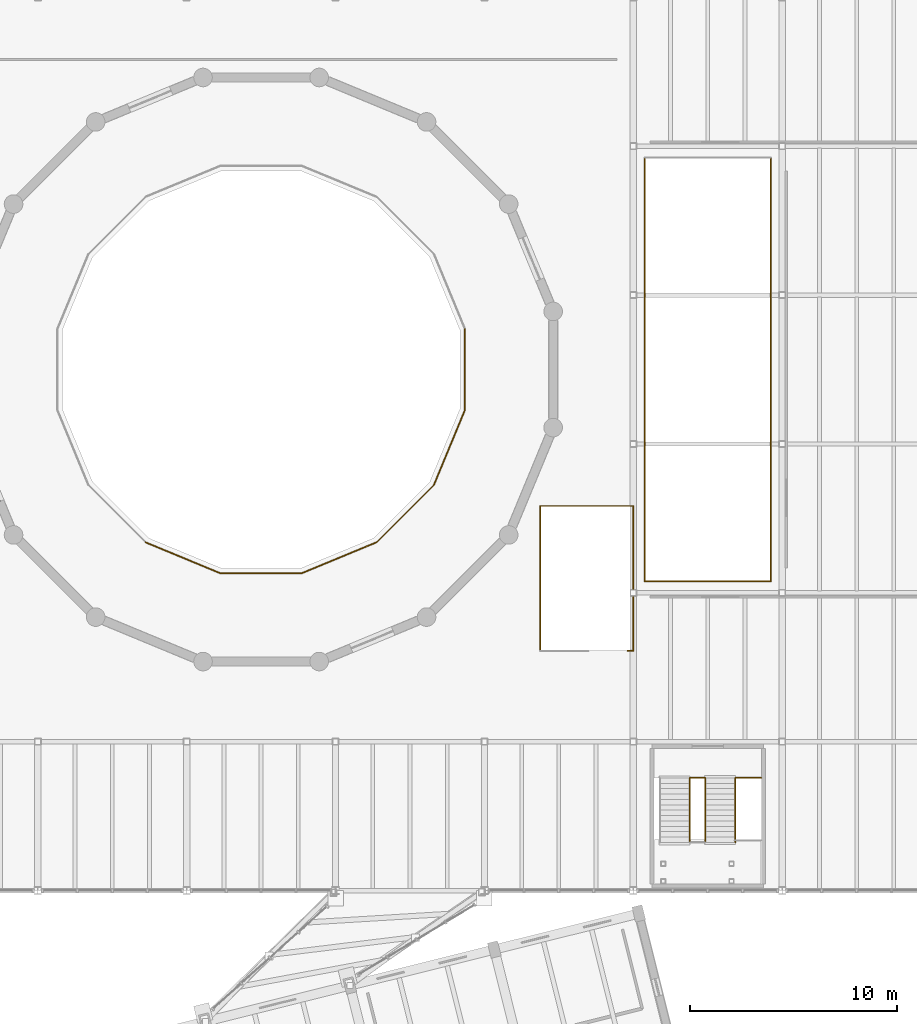
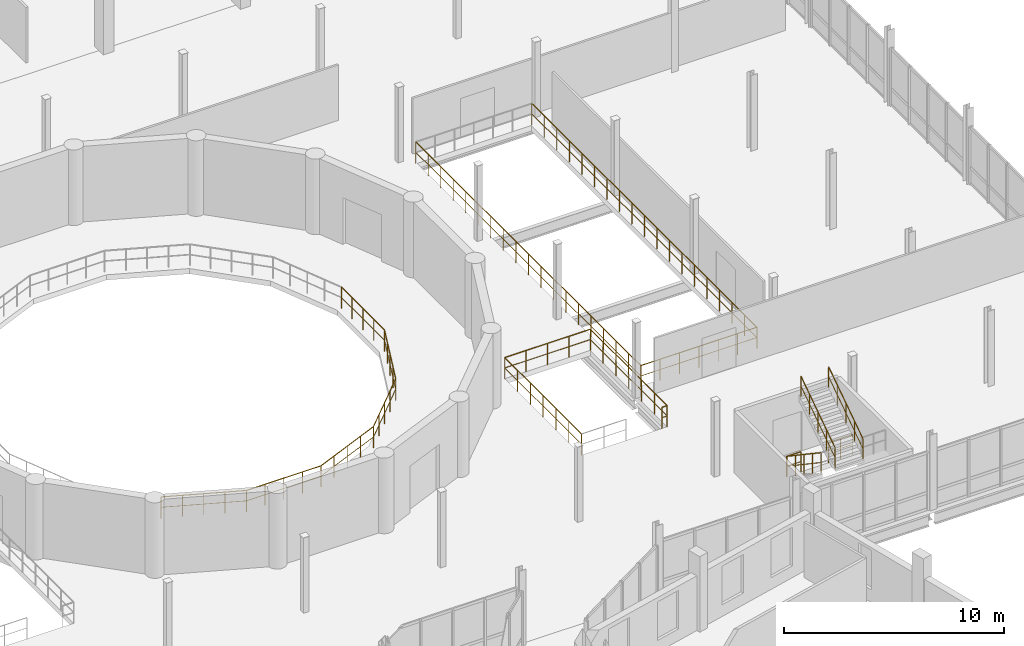
# One storey, part 69 of 72: 18 railings.
"""IFC4 building model written with IfcOpenShell, lengths in metres."""

import ifcopenshell
import ifcopenshell.guid

model = None  # the IFC model being written
_history = None  # IfcOwnerHistory: only IFC2X3 demands one
_inside = {}  # id of a spatial element -> (the spatial element, [elements in it])
_under = {}  # id of a project, library or spatial element -> (it, [spatial elements below it])
_declared = {}  # id of a project -> (the project, [libraries it declares])
_typed = {}  # id of a type object -> (the type object, [elements of that type])
_made_of = {}  # id of a material, layer set ... -> (it, [elements and type objects made of it])


def new_model(schema):
    """Start an empty IFC model of exactly this schema.

    Asked for "IFC4X3", IfcOpenShell would pick the latest addendum, in which some entities
    have other attributes; the version numbers below select the first issue.
    IFC2X3 requires an IfcOwnerHistory on every rooted entity: one is made here for all.
    """
    global model, _history
    if schema == "IFC4X3":
        model = ifcopenshell.file(schema_version=(4, 3, 0, 0))
    else:
        model = ifcopenshell.file(schema=schema)
    _inside.clear()
    _under.clear()
    _declared.clear()
    _typed.clear()
    _made_of.clear()
    _history = None
    if model.schema == "IFC2X3":
        org = make("IfcOrganization", Name="unknown")
        user = make(
            "IfcPersonAndOrganization",
            ThePerson=make("IfcPerson", FamilyName="unknown"),
            TheOrganization=org,
        )
        app = make(
            "IfcApplication",
            ApplicationDeveloper=org,
            Version="unknown",
            ApplicationFullName="unknown",
            ApplicationIdentifier="unknown",
        )
        _history = make(
            "IfcOwnerHistory",
            OwningUser=user,
            OwningApplication=app,
            ChangeAction="ADDED",
            CreationDate=0,
        )
    return model


def make(cls, **values):
    """One entity of the class cls with the attributes given. An attribute that is None is left unset."""
    return model.create_entity(
        cls, **{name: value for name, value in values.items() if value is not None}
    )


def rooted(cls, **values):
    """An entity with a GlobalId (a new one), such as an element, a storey or a relation."""
    return make(cls, GlobalId=ifcopenshell.guid.new(), OwnerHistory=_history, **values)


def si_unit(unit_type, name, prefix=None):
    """IfcSIUnit, for example si_unit("LENGTHUNIT", "METRE", prefix="MILLI")."""
    return make("IfcSIUnit", UnitType=unit_type, Prefix=prefix, Name=name)


def assignment(units):
    """IfcUnitAssignment: the units of a project."""
    return None if units is None else make("IfcUnitAssignment", Units=units)


def point(xyz):
    """IfcCartesianPoint."""
    return None if xyz is None else make("IfcCartesianPoint", Coordinates=xyz)


def direction(xyz):
    """IfcDirection."""
    return None if xyz is None else make("IfcDirection", DirectionRatios=xyz)


def frame(location, z_axis=None, x_axis=None):
    """IfcAxis2Placement3D, a coordinate frame: its origin and axes. An axis left out is left unset."""
    return make(
        "IfcAxis2Placement3D",
        Location=point(location),
        Axis=direction(z_axis),
        RefDirection=direction(x_axis),
    )


def frame_2d(location, x_axis=None):
    """IfcAxis2Placement2D, a coordinate frame in the plane: its origin and x axis."""
    return make(
        "IfcAxis2Placement2D", Location=point(location), RefDirection=direction(x_axis)
    )


def origin():
    """The frame at (0, 0, 0) with its axes left unset."""
    return frame((0.0, 0.0, 0.0))


def origin_2d():
    """The frame at (0, 0) in the plane with its x axis left unset."""
    return frame_2d((0.0, 0.0))


def place(relative_to, where):
    """IfcLocalPlacement: puts the frame where relative to a parent placement (None: the world)."""
    return make(
        "IfcLocalPlacement", PlacementRelTo=relative_to, RelativePlacement=where
    )


def context(
    kind, dimensions, precision=None, world=None, true_north=None, identifier=None
):
    """IfcGeometricRepresentationContext, for example the 3D "Model" context."""
    return make(
        "IfcGeometricRepresentationContext",
        ContextIdentifier=identifier,
        ContextType=kind,
        CoordinateSpaceDimension=dimensions,
        Precision=precision,
        WorldCoordinateSystem=world,
        TrueNorth=true_north,
    )


def subcontext(parent, identifier, kind, view, scale=None):
    """IfcGeometricRepresentationSubContext, for example "Body" below "Model"."""
    return make(
        "IfcGeometricRepresentationSubContext",
        ContextIdentifier=identifier,
        ContextType=kind,
        ParentContext=parent,
        TargetScale=scale,
        TargetView=view,
    )


def project(units=None, contexts=None):
    """IfcProject with its units and contexts."""
    return rooted(
        "IfcProject",
        Name="project",
        RepresentationContexts=contexts,
        UnitsInContext=assignment(units),
    )


def spatial(cls, under=None, at=None, **own):
    """A site, building, storey or space (cls), placed at a placement, below another one or the project."""
    s = rooted(cls, ObjectPlacement=at, **own)
    if under is not None:
        _under.setdefault(under.id(), (under, []))[1].append(s)
    return s


def profile(cls, at=None, kind="AREA", **sizes):
    """A parametric profile (cls). Its sizes go by their IFC names, for example OverallWidth=200.0."""
    return make(cls, ProfileType=kind, Position=at, **sizes)


def circle(**sizes):
    """IfcCircleProfileDef."""
    return profile("IfcCircleProfileDef", **sizes)


def extrude(swept, where, along, depth):
    """IfcExtrudedAreaSolid: the profile swept, set in the frame where, extruded along a direction by depth."""
    return make(
        "IfcExtrudedAreaSolid",
        SweptArea=swept,
        Position=where,
        ExtrudedDirection=direction(along),
        Depth=depth,
    )


def shape(context_of_items, identifier, shape_type, items):
    """IfcShapeRepresentation: the items that make up one representation, for example the "Body"."""
    return make(
        "IfcShapeRepresentation",
        ContextOfItems=context_of_items,
        RepresentationIdentifier=identifier,
        RepresentationType=shape_type,
        Items=items,
    )


def material(Name=None, Category=None):
    """IfcMaterial."""
    return make("IfcMaterial", Name=Name, Category=Category)


def made_of(thing, what):
    """Note that an element or type object is made of a material, layer set ...; save() writes the relation."""
    if what is not None:
        _made_of.setdefault(what.id(), (what, []))[1].append(thing)
    return thing


def type_object(cls, material=None, **own):
    """A type object (cls), such as IfcWallType, which elements share."""
    return made_of(rooted(cls, **own), material)


def element(
    cls,
    number,
    at=None,
    inside=None,
    cuts=None,
    type_object=None,
    material=None,
    context=None,
    identifier="Body",
    shape_type=None,
    held_by="IfcProductDefinitionShape",
    body=None,
    shapes=None,
    **own,
):
    """One element of the class cls, such as IfcWall. Its Tag is "e" and its number.

    at: its placement. inside: the storey or other place that contains it. cuts: it is an
    opening in that element (IfcRelVoidsElement). A single representation is given by context,
    identifier, shape_type and body (its items); several are given by shapes. held_by: the class
    of the entity that holds the representations. save() writes the other relations.
    """
    e = rooted(cls, Tag="e%d" % number, ObjectPlacement=at, **own)
    if body is not None:
        shapes = [shape(context, identifier, shape_type, body)]
    if shapes is not None:
        e.Representation = make(held_by, Representations=shapes)
    if inside is not None:
        _inside.setdefault(inside.id(), (inside, []))[1].append(e)
    if cuts is not None:
        rooted(
            "IfcRelVoidsElement", RelatingBuildingElement=cuts, RelatedOpeningElement=e
        )
    if type_object is not None:
        _typed.setdefault(type_object.id(), (type_object, []))[1].append(e)
    return made_of(e, material)


def aggregate(whole, parts):
    """IfcRelAggregates: a whole, such as a stair, and the parts it consists of."""
    return rooted("IfcRelAggregates", RelatingObject=whole, RelatedObjects=parts)


def save(model, path):
    """Write the relations noted so far, then the file.

    IfcRelAggregates (storeys below a building ...), IfcRelContainedInSpatialStructure (elements
    in a storey), IfcRelDefinesByType, IfcRelAssociatesMaterial and IfcRelDeclares: one each for
    every whole, place, type object, material and project.
    """
    for whole, parts in _under.values():
        aggregate(whole, parts)
    for where, things in _inside.values():
        rooted(
            "IfcRelContainedInSpatialStructure",
            RelatedElements=things,
            RelatingStructure=where,
        )
    for kind, things in _typed.values():
        rooted("IfcRelDefinesByType", RelatedObjects=things, RelatingType=kind)
    for what, things in _made_of.values():
        rooted("IfcRelAssociatesMaterial", RelatedObjects=things, RelatingMaterial=what)
    for by, libraries in _declared.values():
        rooted("IfcRelDeclares", RelatingContext=by, RelatedDefinitions=libraries)
    model.write(path)


model = new_model("IFC4")

# Units and contexts
model_context = context("Model", 3, precision=1e-05, world=origin(), true_north=direction((0.0, 1.0)))
body_context = subcontext(model_context, "Body", "Model", "MODEL_VIEW")
ifc_project = project(units=[si_unit("LENGTHUNIT", "METRE"), si_unit("AREAUNIT", "SQUARE_METRE"), si_unit("VOLUMEUNIT", "CUBIC_METRE"), si_unit("PLANEANGLEUNIT", "RADIAN"), si_unit("MASSUNIT", "GRAM", prefix="KILO")], contexts=[model_context])

# Site, building, storey
site_placement = place(None, origin())
site = spatial("IfcSite", under=ifc_project, at=site_placement, CompositionType="ELEMENT")
building_placement = place(site_placement, origin())
building = spatial("IfcBuilding", under=site, at=building_placement, Name="Qiaolan Assembly House", CompositionType="ELEMENT")
storey_placement = place(building_placement, frame((0.0, 0.0, 10.199951171875)))
storey = spatial("IfcBuildingStorey", under=building, at=storey_placement, Name="L02", CompositionType="ELEMENT", Elevation=10.199951171875)

# Railings
ifc_material = material(Name="Anodised bronze aluminium", Category="aluminium")
railing_type_1 = type_object("IfcRailingType", Name="RAL-GUARD-GALLERY-1200", PredefinedType="BALUSTRADE", material=ifc_material)
railing_1_placement = place(storey_placement, frame((81.89990234375, 47.60009765625, 0.0)))
element("IfcRailing", 1, at=railing_1_placement, inside=storey, type_object=railing_type_1, Name="GR-02 gallery well guard ST-G2 seg 2", PredefinedType="BALUSTRADE", context=body_context, shape_type="SweptSolid", body=[
    extrude(circle(Radius=0.02392578125, at=origin_2d()), frame((0.0, 0.0, 1.17578125), z_axis=(0.0, 1.0, 0.0), x_axis=(-1.0, 0.0, 0.0)), (0.0, 0.0, 1.0), 7.0),
    extrude(circle(Radius=0.01611328125, at=origin_2d()), frame((0.0, 0.0, 0.60009765625), z_axis=(0.0, 1.0, 0.0), x_axis=(-1.0, 0.0, 0.0)), (0.0, 0.0, 1.0), 7.0),
    extrude(circle(Radius=0.02099609375, at=origin_2d()), origin(), (0.0, 0.0, 1.0), 1.15185546875),
    extrude(circle(Radius=0.02099609375, at=origin_2d()), frame((0.0, 1.166748046875, 0.0)), (0.0, 0.0, 1.0), 1.15185546875),
    extrude(circle(Radius=0.02099609375, at=origin_2d()), frame((0.0, 2.333251953125, 0.0)), (0.0, 0.0, 1.0), 1.15185546875),
    extrude(circle(Radius=0.02099609375, at=origin_2d()), frame((0.0, 3.5, 0.0)), (0.0, 0.0, 1.0), 1.15185546875),
    extrude(circle(Radius=0.02099609375, at=origin_2d()), frame((0.0, 4.666748046875, 0.0)), (0.0, 0.0, 1.0), 1.15185546875),
    extrude(circle(Radius=0.02099609375, at=origin_2d()), frame((0.0, 5.833251953125, 0.0)), (0.0, 0.0, 1.0), 1.15185546875),
    extrude(circle(Radius=0.02099609375, at=origin_2d()), frame((0.0, 7.0, 0.0)), (0.0, 0.0, 1.0), 1.15185546875),
])
railing_2_placement = place(storey_placement, frame((81.89990234375, 54.60009765625, 0.0)))
element("IfcRailing", 2, at=railing_2_placement, inside=storey, type_object=railing_type_1, Name="GR-02 gallery well guard ST-G2 seg 3", PredefinedType="BALUSTRADE", context=body_context, shape_type="SweptSolid", body=[
    extrude(circle(Radius=0.02392578125, at=origin_2d()), frame((0.0, 0.0, 1.17578125), z_axis=(1.0, 0.0, 0.0), x_axis=(0.0, 1.0, 0.0)), (0.0, 0.0, 1.0), 4.5),
    extrude(circle(Radius=0.01611328125, at=origin_2d()), frame((0.0, 0.0, 0.60009765625), z_axis=(1.0, 0.0, 0.0), x_axis=(0.0, 1.0, 0.0)), (0.0, 0.0, 1.0), 4.5),
    extrude(circle(Radius=0.02099609375, at=origin_2d()), origin(), (0.0, 0.0, 1.0), 1.15185546875),
    extrude(circle(Radius=0.02099609375, at=origin_2d()), frame((1.125, 0.0, 0.0)), (0.0, 0.0, 1.0), 1.15185546875),
    extrude(circle(Radius=0.02099609375, at=origin_2d()), frame((2.25, 0.0, 0.0)), (0.0, 0.0, 1.0), 1.15185546875),
    extrude(circle(Radius=0.02099609375, at=origin_2d()), frame((3.375, 0.0, 0.0)), (0.0, 0.0, 1.0), 1.15185546875),
    extrude(circle(Radius=0.02099609375, at=origin_2d()), frame((4.5, 0.0, 0.0)), (0.0, 0.0, 1.0), 1.15185546875),
])
railing_3_placement = place(storey_placement, frame((86.39990234375, 54.60009765625, 0.0)))
element("IfcRailing", 3, at=railing_3_placement, inside=storey, type_object=railing_type_1, Name="GR-02 gallery well guard ST-G2 seg 4", PredefinedType="BALUSTRADE", context=body_context, shape_type="SweptSolid", body=[
    extrude(circle(Radius=0.02392578125, at=origin_2d()), frame((0.0, 0.0, 1.17578125), z_axis=(0.0, -1.0, 0.0), x_axis=(1.0, 0.0, 0.0)), (0.0, 0.0, 1.0), 7.0),
    extrude(circle(Radius=0.01611328125, at=origin_2d()), frame((0.0, 0.0, 0.60009765625), z_axis=(0.0, -1.0, 0.0), x_axis=(1.0, 0.0, 0.0)), (0.0, 0.0, 1.0), 7.0),
    extrude(circle(Radius=0.02099609375, at=origin_2d()), origin(), (0.0, 0.0, 1.0), 1.15185546875),
    extrude(circle(Radius=0.02099609375, at=origin_2d()), frame((0.0, -1.166748046875, 0.0)), (0.0, 0.0, 1.0), 1.15185546875),
    extrude(circle(Radius=0.02099609375, at=origin_2d()), frame((0.0, -2.333251953125, 0.0)), (0.0, 0.0, 1.0), 1.15185546875),
    extrude(circle(Radius=0.02099609375, at=origin_2d()), frame((0.0, -3.5, 0.0)), (0.0, 0.0, 1.0), 1.15185546875),
    extrude(circle(Radius=0.02099609375, at=origin_2d()), frame((0.0, -4.666748046875, 0.0)), (0.0, 0.0, 1.0), 1.15185546875),
    extrude(circle(Radius=0.02099609375, at=origin_2d()), frame((0.0, -5.833251953125, 0.0)), (0.0, 0.0, 1.0), 1.15185546875),
    extrude(circle(Radius=0.02099609375, at=origin_2d()), frame((0.0, -7.0, 0.0)), (0.0, 0.0, 1.0), 1.15185546875),
])
railing_4_placement = place(storey_placement, frame((86.39990234375, 47.60009765625, 0.0)))
element("IfcRailing", 4, at=railing_4_placement, inside=storey, type_object=railing_type_1, Name="GR-02 gallery well guard ST-G2 seg 5", PredefinedType="BALUSTRADE", context=body_context, shape_type="SweptSolid", body=[
    extrude(circle(Radius=0.02392578125, at=origin_2d()), frame((0.0, 0.0, 1.17578125), z_axis=(-1.0, 0.0, 0.0), x_axis=(0.0, -1.0, 0.0)), (0.0, 0.0, 1.0), 0.27978515625),
    extrude(circle(Radius=0.01611328125, at=origin_2d()), frame((0.0, 0.0, 0.60009765625), z_axis=(-1.0, 0.0, 0.0), x_axis=(0.0, -1.0, 0.0)), (0.0, 0.0, 1.0), 0.27978515625),
    extrude(circle(Radius=0.02099609375, at=origin_2d()), origin(), (0.0, 0.0, 1.0), 1.15185546875),
    extrude(circle(Radius=0.02099609375, at=origin_2d()), frame((-0.27978515625, 0.0, 0.0)), (0.0, 0.0, 1.0), 1.15185546875),
])
railing_5_placement = place(storey_placement, frame((62.81640625, 52.84375, 0.0)))
element("IfcRailing", 5, at=railing_5_placement, inside=storey, type_object=railing_type_1, Name="GR-02 Council Chamber Public Gallery Balustrade seg 11", PredefinedType="BALUSTRADE", context=body_context, shape_type="SweptSolid", body=[
    extrude(circle(Radius=0.02392578125, at=origin_2d()), frame((0.0, 0.0, 1.17578125), z_axis=(0.923877975584, -0.382687191099, 0.0), x_axis=(0.382687191099, 0.923877975584, 0.0)), (0.0, 0.0, 1.0), 3.921630859375),
    extrude(circle(Radius=0.01611328125, at=origin_2d()), frame((0.0, 0.0, 0.60009765625), z_axis=(0.923877975584, -0.382687191099, 0.0), x_axis=(0.382687191099, 0.923877975584, 0.0)), (0.0, 0.0, 1.0), 3.921630859375),
    extrude(circle(Radius=0.02099609375, at=origin_2d()), origin(), (0.0, 0.0, 1.0), 1.15185546875),
    extrude(circle(Radius=0.02099609375, at=origin_2d()), frame((0.90576171875, -0.375244140625, 0.0)), (0.0, 0.0, 1.0), 1.15185546875),
    extrude(circle(Radius=0.02099609375, at=origin_2d()), frame((1.8115234375, -0.75048828125, 0.0)), (0.0, 0.0, 1.0), 1.15185546875),
    extrude(circle(Radius=0.02099609375, at=origin_2d()), frame((2.71728515625, -1.12548828125, 0.0)), (0.0, 0.0, 1.0), 1.15185546875),
    extrude(circle(Radius=0.02099609375, at=origin_2d()), frame((3.623046875, -1.500732421875, 0.0)), (0.0, 0.0, 1.0), 1.15185546875),
])
railing_6_placement = place(storey_placement, frame((66.439453125, 51.343017578125, 0.0)))
element("IfcRailing", 6, at=railing_6_placement, inside=storey, type_object=railing_type_1, Name="GR-02 Council Chamber Public Gallery Balustrade seg 12", PredefinedType="BALUSTRADE", context=body_context, shape_type="SweptSolid", body=[
    extrude(circle(Radius=0.02392578125, at=origin_2d()), frame((0.0, 0.0, 1.17578125), z_axis=(1.0, 0.0, 0.0), x_axis=(0.0, 1.0, 0.0)), (0.0, 0.0, 1.0), 3.921142578125),
    extrude(circle(Radius=0.01611328125, at=origin_2d()), frame((0.0, 0.0, 0.60009765625), z_axis=(1.0, 0.0, 0.0), x_axis=(0.0, 1.0, 0.0)), (0.0, 0.0, 1.0), 3.921142578125),
    extrude(circle(Radius=0.02099609375, at=origin_2d()), origin(), (0.0, 0.0, 1.0), 1.15185546875),
    extrude(circle(Radius=0.02099609375, at=origin_2d()), frame((0.980224609375, 0.0, 0.0)), (0.0, 0.0, 1.0), 1.15185546875),
    extrude(circle(Radius=0.02099609375, at=origin_2d()), frame((1.96044921875, 0.0, 0.0)), (0.0, 0.0, 1.0), 1.15185546875),
    extrude(circle(Radius=0.02099609375, at=origin_2d()), frame((2.94091796875, 0.0, 0.0)), (0.0, 0.0, 1.0), 1.15185546875),
    extrude(circle(Radius=0.02099609375, at=origin_2d()), frame((3.921142578125, 0.0, 0.0)), (0.0, 0.0, 1.0), 1.15185546875),
])
railing_7_placement = place(storey_placement, frame((70.360595703125, 51.343017578125, 0.0)))
element("IfcRailing", 7, at=railing_7_placement, inside=storey, type_object=railing_type_1, Name="GR-02 Council Chamber Public Gallery Balustrade seg 13", PredefinedType="BALUSTRADE", context=body_context, shape_type="SweptSolid", body=[
    extrude(circle(Radius=0.02392578125, at=origin_2d()), frame((0.0, 0.0, 1.17578125), z_axis=(0.923868857448, 0.38270920323, 0.0), x_axis=(-0.38270920323, 0.923868857448, 0.0)), (0.0, 0.0, 1.0), 3.92138671875),
    extrude(circle(Radius=0.01611328125, at=origin_2d()), frame((0.0, 0.0, 0.60009765625), z_axis=(0.923868857448, 0.38270920323, 0.0), x_axis=(-0.38270920323, 0.923868857448, 0.0)), (0.0, 0.0, 1.0), 3.92138671875),
    extrude(circle(Radius=0.02099609375, at=origin_2d()), origin(), (0.0, 0.0, 1.0), 1.15185546875),
    extrude(circle(Radius=0.02099609375, at=origin_2d()), frame((0.90576171875, 0.375244140625, 0.0)), (0.0, 0.0, 1.0), 1.15185546875),
    extrude(circle(Radius=0.02099609375, at=origin_2d()), frame((1.8115234375, 0.75048828125, 0.0)), (0.0, 0.0, 1.0), 1.15185546875),
    extrude(circle(Radius=0.02099609375, at=origin_2d()), frame((2.717041015625, 1.12548828125, 0.0)), (0.0, 0.0, 1.0), 1.15185546875),
    extrude(circle(Radius=0.02099609375, at=origin_2d()), frame((3.622802734375, 1.500732421875, 0.0)), (0.0, 0.0, 1.0), 1.15185546875),
])
railing_8_placement = place(storey_placement, frame((73.9833984375, 52.84375, 0.0)))
element("IfcRailing", 8, at=railing_8_placement, inside=storey, type_object=railing_type_1, Name="GR-02 Council Chamber Public Gallery Balustrade seg 14", PredefinedType="BALUSTRADE", context=body_context, shape_type="SweptSolid", body=[
    extrude(circle(Radius=0.02392578125, at=origin_2d()), frame((0.0, 0.0, 1.17578125), z_axis=(0.70713791001, 0.707075650993, 0.0), x_axis=(-0.707075650993, 0.70713791001, 0.0)), (0.0, 0.0, 1.0), 3.92138671875),
    extrude(circle(Radius=0.01611328125, at=origin_2d()), frame((0.0, 0.0, 0.60009765625), z_axis=(0.70713791001, 0.707075650993, 0.0), x_axis=(-0.707075650993, 0.70713791001, 0.0)), (0.0, 0.0, 1.0), 3.92138671875),
    extrude(circle(Radius=0.02099609375, at=origin_2d()), origin(), (0.0, 0.0, 1.0), 1.15185546875),
    extrude(circle(Radius=0.02099609375, at=origin_2d()), frame((0.693359375, 0.693115234375, 0.0)), (0.0, 0.0, 1.0), 1.15185546875),
    extrude(circle(Radius=0.02099609375, at=origin_2d()), frame((1.386474609375, 1.38623046875, 0.0)), (0.0, 0.0, 1.0), 1.15185546875),
    extrude(circle(Radius=0.02099609375, at=origin_2d()), frame((2.07958984375, 2.07958984375, 0.0)), (0.0, 0.0, 1.0), 1.15185546875),
    extrude(circle(Radius=0.02099609375, at=origin_2d()), frame((2.77294921875, 2.772705078125, 0.0)), (0.0, 0.0, 1.0), 1.15185546875),
])
railing_9_placement = place(storey_placement, frame((76.75634765625, 55.616455078125, 0.0)))
element("IfcRailing", 9, at=railing_9_placement, inside=storey, type_object=railing_type_1, Name="GR-02 Council Chamber Public Gallery Balustrade seg 15", PredefinedType="BALUSTRADE", context=body_context, shape_type="SweptSolid", body=[
    extrude(circle(Radius=0.02392578125, at=origin_2d()), frame((0.0, 0.0, 1.17578125), z_axis=(0.382656060744, 0.923890869733, 0.0), x_axis=(-0.923890869733, 0.382656060744, 0.0)), (0.0, 0.0, 1.0), 3.921142578125),
    extrude(circle(Radius=0.01611328125, at=origin_2d()), frame((0.0, 0.0, 0.60009765625), z_axis=(0.382656060744, 0.923890869733, 0.0), x_axis=(-0.923890869733, 0.382656060744, 0.0)), (0.0, 0.0, 1.0), 3.921142578125),
    extrude(circle(Radius=0.02099609375, at=origin_2d()), origin(), (0.0, 0.0, 1.0), 1.15185546875),
    extrude(circle(Radius=0.02099609375, at=origin_2d()), frame((0.375, 0.90576171875, 0.0)), (0.0, 0.0, 1.0), 1.15185546875),
    extrude(circle(Radius=0.02099609375, at=origin_2d()), frame((0.750244140625, 1.8115234375, 0.0)), (0.0, 0.0, 1.0), 1.15185546875),
    extrude(circle(Radius=0.02099609375, at=origin_2d()), frame((1.12548828125, 2.717041015625, 0.0)), (0.0, 0.0, 1.0), 1.15185546875),
    extrude(circle(Radius=0.02099609375, at=origin_2d()), frame((1.50048828125, 3.622802734375, 0.0)), (0.0, 0.0, 1.0), 1.15185546875),
])
railing_10_placement = place(storey_placement, frame((78.2568359375, 59.2392578125, 0.0)))
element("IfcRailing", 10, at=railing_10_placement, inside=storey, type_object=railing_type_1, Name="GR-02 Council Chamber Public Gallery Balustrade seg 16", PredefinedType="BALUSTRADE", context=body_context, shape_type="SweptSolid", body=[
    extrude(circle(Radius=0.02392578125, at=origin_2d()), frame((0.0, 0.0, 1.17578125), z_axis=(0.0, 1.0, 0.0), x_axis=(-1.0, 0.0, 0.0)), (0.0, 0.0, 1.0), 3.92138671875),
    extrude(circle(Radius=0.01611328125, at=origin_2d()), frame((0.0, 0.0, 0.60009765625), z_axis=(0.0, 1.0, 0.0), x_axis=(-1.0, 0.0, 0.0)), (0.0, 0.0, 1.0), 3.92138671875),
    extrude(circle(Radius=0.02099609375, at=origin_2d()), origin(), (0.0, 0.0, 1.0), 1.15185546875),
    extrude(circle(Radius=0.02099609375, at=origin_2d()), frame((0.0, 0.98046875, 0.0)), (0.0, 0.0, 1.0), 1.15185546875),
    extrude(circle(Radius=0.02099609375, at=origin_2d()), frame((0.0, 1.960693359375, 0.0)), (0.0, 0.0, 1.0), 1.15185546875),
    extrude(circle(Radius=0.02099609375, at=origin_2d()), frame((0.0, 2.94091796875, 0.0)), (0.0, 0.0, 1.0), 1.15185546875),
    extrude(circle(Radius=0.02099609375, at=origin_2d()), frame((0.0, 3.92138671875, 0.0)), (0.0, 0.0, 1.0), 1.15185546875),
])
railing_11_placement = place(storey_placement, frame((86.949951171875, 50.949951171875, 0.0)))
element("IfcRailing", 11, at=railing_11_placement, inside=storey, type_object=railing_type_1, Name="GR-02 Public Hall Atrium Void Balustrade E L02 seg 1", PredefinedType="BALUSTRADE", context=body_context, shape_type="SweptSolid", body=[
    extrude(circle(Radius=0.02392578125, at=origin_2d()), frame((0.0, 0.0, 1.17578125), z_axis=(0.0, 1.0, 0.0), x_axis=(-1.0, 0.0, 0.0)), (0.0, 0.0, 1.0), 20.5),
    extrude(circle(Radius=0.01611328125, at=origin_2d()), frame((0.0, 0.0, 0.60009765625), z_axis=(0.0, 1.0, 0.0), x_axis=(-1.0, 0.0, 0.0)), (0.0, 0.0, 1.0), 20.5),
    extrude(circle(Radius=0.02099609375, at=origin_2d()), origin(), (0.0, 0.0, 1.0), 1.15185546875),
    extrude(circle(Radius=0.02099609375, at=origin_2d()), frame((0.0, 1.138916015625, 0.0)), (0.0, 0.0, 1.0), 1.15185546875),
    extrude(circle(Radius=0.02099609375, at=origin_2d()), frame((0.0, 2.27783203125, 0.0)), (0.0, 0.0, 1.0), 1.15185546875),
    extrude(circle(Radius=0.02099609375, at=origin_2d()), frame((0.0, 3.416748046875, 0.0)), (0.0, 0.0, 1.0), 1.15185546875),
    extrude(circle(Radius=0.02099609375, at=origin_2d()), frame((0.0, 4.5556640625, 0.0)), (0.0, 0.0, 1.0), 1.15185546875),
    extrude(circle(Radius=0.02099609375, at=origin_2d()), frame((0.0, 5.6943359375, 0.0)), (0.0, 0.0, 1.0), 1.15185546875),
    extrude(circle(Radius=0.02099609375, at=origin_2d()), frame((0.0, 6.833251953125, 0.0)), (0.0, 0.0, 1.0), 1.15185546875),
    extrude(circle(Radius=0.02099609375, at=origin_2d()), frame((0.0, 7.97216796875, 0.0)), (0.0, 0.0, 1.0), 1.15185546875),
    extrude(circle(Radius=0.02099609375, at=origin_2d()), frame((0.0, 9.111083984375, 0.0)), (0.0, 0.0, 1.0), 1.15185546875),
    extrude(circle(Radius=0.02099609375, at=origin_2d()), frame((0.0, 10.25, 0.0)), (0.0, 0.0, 1.0), 1.15185546875),
    extrude(circle(Radius=0.02099609375, at=origin_2d()), frame((0.0, 11.388916015625, 0.0)), (0.0, 0.0, 1.0), 1.15185546875),
    extrude(circle(Radius=0.02099609375, at=origin_2d()), frame((0.0, 12.52783203125, 0.0)), (0.0, 0.0, 1.0), 1.15185546875),
    extrude(circle(Radius=0.02099609375, at=origin_2d()), frame((0.0, 13.666748046875, 0.0)), (0.0, 0.0, 1.0), 1.15185546875),
    extrude(circle(Radius=0.02099609375, at=origin_2d()), frame((0.0, 14.8056640625, 0.0)), (0.0, 0.0, 1.0), 1.15185546875),
    extrude(circle(Radius=0.02099609375, at=origin_2d()), frame((0.0, 15.9443359375, 0.0)), (0.0, 0.0, 1.0), 1.15185546875),
    extrude(circle(Radius=0.02099609375, at=origin_2d()), frame((0.0, 17.083251953125, 0.0)), (0.0, 0.0, 1.0), 1.15185546875),
    extrude(circle(Radius=0.02099609375, at=origin_2d()), frame((0.0, 18.22216796875, 0.0)), (0.0, 0.0, 1.0), 1.15185546875),
    extrude(circle(Radius=0.02099609375, at=origin_2d()), frame((0.0, 19.361083984375, 0.0)), (0.0, 0.0, 1.0), 1.15185546875),
    extrude(circle(Radius=0.02099609375, at=origin_2d()), frame((0.0, 20.5, 0.0)), (0.0, 0.0, 1.0), 1.15185546875),
])
railing_12_placement = place(storey_placement, frame((93.050048828125, 71.449951171875, 0.0)))
element("IfcRailing", 12, at=railing_12_placement, inside=storey, type_object=railing_type_1, Name="GR-02 Public Hall Atrium Void Balustrade E L02 seg 3", PredefinedType="BALUSTRADE", context=body_context, shape_type="SweptSolid", body=[
    extrude(circle(Radius=0.02392578125, at=origin_2d()), frame((0.0, 0.0, 1.17578125), z_axis=(0.0, -1.0, 0.0), x_axis=(1.0, 0.0, 0.0)), (0.0, 0.0, 1.0), 20.5),
    extrude(circle(Radius=0.01611328125, at=origin_2d()), frame((0.0, 0.0, 0.60009765625), z_axis=(0.0, -1.0, 0.0), x_axis=(1.0, 0.0, 0.0)), (0.0, 0.0, 1.0), 20.5),
    extrude(circle(Radius=0.02099609375, at=origin_2d()), origin(), (0.0, 0.0, 1.0), 1.15185546875),
    extrude(circle(Radius=0.02099609375, at=origin_2d()), frame((0.0, -1.138916015625, 0.0)), (0.0, 0.0, 1.0), 1.15185546875),
    extrude(circle(Radius=0.02099609375, at=origin_2d()), frame((0.0, -2.27783203125, 0.0)), (0.0, 0.0, 1.0), 1.15185546875),
    extrude(circle(Radius=0.02099609375, at=origin_2d()), frame((0.0, -3.416748046875, 0.0)), (0.0, 0.0, 1.0), 1.15185546875),
    extrude(circle(Radius=0.02099609375, at=origin_2d()), frame((0.0, -4.5556640625, 0.0)), (0.0, 0.0, 1.0), 1.15185546875),
    extrude(circle(Radius=0.02099609375, at=origin_2d()), frame((0.0, -5.6943359375, 0.0)), (0.0, 0.0, 1.0), 1.15185546875),
    extrude(circle(Radius=0.02099609375, at=origin_2d()), frame((0.0, -6.833251953125, 0.0)), (0.0, 0.0, 1.0), 1.15185546875),
    extrude(circle(Radius=0.02099609375, at=origin_2d()), frame((0.0, -7.97216796875, 0.0)), (0.0, 0.0, 1.0), 1.15185546875),
    extrude(circle(Radius=0.02099609375, at=origin_2d()), frame((0.0, -9.111083984375, 0.0)), (0.0, 0.0, 1.0), 1.15185546875),
    extrude(circle(Radius=0.02099609375, at=origin_2d()), frame((0.0, -10.25, 0.0)), (0.0, 0.0, 1.0), 1.15185546875),
    extrude(circle(Radius=0.02099609375, at=origin_2d()), frame((0.0, -11.388916015625, 0.0)), (0.0, 0.0, 1.0), 1.15185546875),
    extrude(circle(Radius=0.02099609375, at=origin_2d()), frame((0.0, -12.52783203125, 0.0)), (0.0, 0.0, 1.0), 1.15185546875),
    extrude(circle(Radius=0.02099609375, at=origin_2d()), frame((0.0, -13.666748046875, 0.0)), (0.0, 0.0, 1.0), 1.15185546875),
    extrude(circle(Radius=0.02099609375, at=origin_2d()), frame((0.0, -14.8056640625, 0.0)), (0.0, 0.0, 1.0), 1.15185546875),
    extrude(circle(Radius=0.02099609375, at=origin_2d()), frame((0.0, -15.9443359375, 0.0)), (0.0, 0.0, 1.0), 1.15185546875),
    extrude(circle(Radius=0.02099609375, at=origin_2d()), frame((0.0, -17.083251953125, 0.0)), (0.0, 0.0, 1.0), 1.15185546875),
    extrude(circle(Radius=0.02099609375, at=origin_2d()), frame((0.0, -18.22216796875, 0.0)), (0.0, 0.0, 1.0), 1.15185546875),
    extrude(circle(Radius=0.02099609375, at=origin_2d()), frame((0.0, -19.361083984375, 0.0)), (0.0, 0.0, 1.0), 1.15185546875),
    extrude(circle(Radius=0.02099609375, at=origin_2d()), frame((0.0, -20.5, 0.0)), (0.0, 0.0, 1.0), 1.15185546875),
])
railing_13_placement = place(storey_placement, frame((93.050048828125, 50.949951171875, 0.0)))
element("IfcRailing", 13, at=railing_13_placement, inside=storey, type_object=railing_type_1, Name="GR-02 Public Hall Atrium Void Balustrade E L02 seg 4", PredefinedType="BALUSTRADE", context=body_context, shape_type="SweptSolid", body=[
    extrude(circle(Radius=0.02392578125, at=origin_2d()), frame((0.0, 0.0, 1.17578125), z_axis=(-1.0, 0.0, 0.0), x_axis=(0.0, -1.0, 0.0)), (0.0, 0.0, 1.0), 6.10009765625),
    extrude(circle(Radius=0.01611328125, at=origin_2d()), frame((0.0, 0.0, 0.60009765625), z_axis=(-1.0, 0.0, 0.0), x_axis=(0.0, -1.0, 0.0)), (0.0, 0.0, 1.0), 6.10009765625),
    extrude(circle(Radius=0.02099609375, at=origin_2d()), origin(), (0.0, 0.0, 1.0), 1.15185546875),
    extrude(circle(Radius=0.02099609375, at=origin_2d()), frame((-1.0166015625, 0.0, 0.0)), (0.0, 0.0, 1.0), 1.15185546875),
    extrude(circle(Radius=0.02099609375, at=origin_2d()), frame((-2.033447265625, 0.0, 0.0)), (0.0, 0.0, 1.0), 1.15185546875),
    extrude(circle(Radius=0.02099609375, at=origin_2d()), frame((-3.050048828125, 0.0, 0.0)), (0.0, 0.0, 1.0), 1.15185546875),
    extrude(circle(Radius=0.02099609375, at=origin_2d()), frame((-4.066650390625, 0.0, 0.0)), (0.0, 0.0, 1.0), 1.15185546875),
    extrude(circle(Radius=0.02099609375, at=origin_2d()), frame((-5.08349609375, 0.0, 0.0)), (0.0, 0.0, 1.0), 1.15185546875),
    extrude(circle(Radius=0.02099609375, at=origin_2d()), frame((-6.10009765625, 0.0, 0.0)), (0.0, 0.0, 1.0), 1.15185546875),
])
railing_type_2 = type_object("IfcRailingType", Name="RAL-GUARD-STAIRWELL-1150", PredefinedType="GUARDRAIL", material=ifc_material)
railing_14_placement = place(storey_placement, frame((89.1201171875, 41.449951171875, 0.0)))
element("IfcRailing", 14, at=railing_14_placement, inside=storey, type_object=railing_type_2, Name="GR-01 foyer L02 slot guard ST-F2", PredefinedType="GUARDRAIL", context=body_context, shape_type="SweptSolid", body=[
    extrude(circle(Radius=0.02392578125, at=origin_2d()), frame((0.0, 0.0, 1.1259765625), z_axis=(1.0, 0.0, 0.0), x_axis=(0.0, 1.0, 0.0)), (0.0, 0.0, 1.0), 0.759765625),
    extrude(circle(Radius=0.01611328125, at=origin_2d()), frame((0.0, 0.0, 0.574951171875), z_axis=(1.0, 0.0, 0.0), x_axis=(0.0, 1.0, 0.0)), (0.0, 0.0, 1.0), 0.759765625),
    extrude(circle(Radius=0.02099609375, at=origin_2d()), origin(), (0.0, 0.0, 1.0), 1.101806640625),
    extrude(circle(Radius=0.02099609375, at=origin_2d()), frame((0.759765625, 0.0, 0.0)), (0.0, 0.0, 1.0), 1.101806640625),
])
railing_15_placement = place(storey_placement, frame((91.320068359375, 41.449951171875, 0.0)))
element("IfcRailing", 15, at=railing_15_placement, inside=storey, type_object=railing_type_2, Name="GR-01 foyer L02 east floor-well guard ST-F2", PredefinedType="GUARDRAIL", context=body_context, shape_type="SweptSolid", body=[
    extrude(circle(Radius=0.02392578125, at=origin_2d()), frame((0.0, 0.0, 1.1259765625), z_axis=(1.0, 0.0, 0.0), x_axis=(0.0, 1.0, 0.0)), (0.0, 0.0, 1.0), 1.260009765625),
    extrude(circle(Radius=0.01611328125, at=origin_2d()), frame((0.0, 0.0, 0.574951171875), z_axis=(1.0, 0.0, 0.0), x_axis=(0.0, 1.0, 0.0)), (0.0, 0.0, 1.0), 1.260009765625),
    extrude(circle(Radius=0.02099609375, at=origin_2d()), origin(), (0.0, 0.0, 1.0), 1.101806640625),
    extrude(circle(Radius=0.02099609375, at=origin_2d()), frame((0.6298828125, 0.0, 0.0)), (0.0, 0.0, 1.0), 1.101806640625),
    extrude(circle(Radius=0.02099609375, at=origin_2d()), frame((1.260009765625, 0.0, 0.0)), (0.0, 0.0, 1.0), 1.101806640625),
])
railing_16_placement = place(storey_placement, frame((89.139892578125, 41.449951171875, 0.0)))
element("IfcRailing", 16, at=railing_16_placement, inside=storey, type_object=railing_type_2, Name="GR-01 foyer L02 open-well guard FLT-ST-F22-1-R", PredefinedType="GUARDRAIL", context=body_context, shape_type="SweptSolid", body=[
    extrude(circle(Radius=0.02392578125, at=origin_2d()), frame((0.0, 0.0, 1.1259765625), z_axis=(0.0, -0.829565193945, 0.558409875445), x_axis=(1.0, 0.0, 0.0)), (0.0, 0.0, 1.0), 3.7607421875),
    extrude(circle(Radius=0.01611328125, at=origin_2d()), frame((0.0, 0.0, 0.574951171875), z_axis=(0.0, -0.829565193945, 0.558409875445), x_axis=(1.0, 0.0, 0.0)), (0.0, 0.0, 1.0), 3.7607421875),
    extrude(circle(Radius=0.02099609375, at=origin_2d()), origin(), (0.0, 0.0, 1.0), 1.101806640625),
    extrude(circle(Radius=0.02099609375, at=origin_2d()), frame((0.0, -0.780029296875, 0.52490234375)), (0.0, 0.0, 1.0), 1.101806640625),
    extrude(circle(Radius=0.02099609375, at=origin_2d()), frame((0.0, -1.56005859375, 1.050048828125)), (0.0, 0.0, 1.0), 1.101806640625),
    extrude(circle(Radius=0.02099609375, at=origin_2d()), frame((0.0, -2.33984375, 1.5751953125)), (0.0, 0.0, 1.0), 1.101806640625),
    extrude(circle(Radius=0.02099609375, at=origin_2d()), frame((0.0, -3.119873046875, 2.10009765625)), (0.0, 0.0, 1.0), 1.101806640625),
])
for number, where, name in (
    (17, (89.8798828125, 38.330078125, 2.10009765625), "GR-01 foyer L02 inner-well guard FLT-ST-F22-2-L"),
    (18, (91.340087890625, 38.330078125, 2.10009765625), "GR-01 foyer L02 open-well guard FLT-ST-F22-2-R"),
):
    element("IfcRailing", number, at=place(storey_placement, frame(where)), inside=storey, type_object=railing_type_2, Name=name, PredefinedType="GUARDRAIL", context=body_context, shape_type="SweptSolid", body=[
        extrude(circle(Radius=0.02392578125, at=origin_2d()), frame((0.0, 0.0, 1.1259765625), z_axis=(0.0, 0.829595265483, 0.558365199031), x_axis=(-1.0, 0.0, 0.0)), (0.0, 0.0, 1.0), 3.7607421875),
        extrude(circle(Radius=0.01611328125, at=origin_2d()), frame((0.0, 0.0, 0.574951171875), z_axis=(0.0, 0.829595265483, 0.558365199031), x_axis=(-1.0, 0.0, 0.0)), (0.0, 0.0, 1.0), 3.7607421875),
        extrude(circle(Radius=0.02099609375, at=origin_2d()), origin(), (0.0, 0.0, 1.0), 1.101806640625),
        extrude(circle(Radius=0.02099609375, at=origin_2d()), frame((0.0, 0.780029296875, 0.52490234375)), (0.0, 0.0, 1.0), 1.101806640625),
        extrude(circle(Radius=0.02099609375, at=origin_2d()), frame((0.0, 1.56005859375, 1.0498046875)), (0.0, 0.0, 1.0), 1.101806640625),
        extrude(circle(Radius=0.02099609375, at=origin_2d()), frame((0.0, 2.33984375, 1.574951171875)), (0.0, 0.0, 1.0), 1.101806640625),
        extrude(circle(Radius=0.02099609375, at=origin_2d()), frame((0.0, 3.119873046875, 2.099853515625)), (0.0, 0.0, 1.0), 1.101806640625),
    ])

save(model, "model.ifc")
